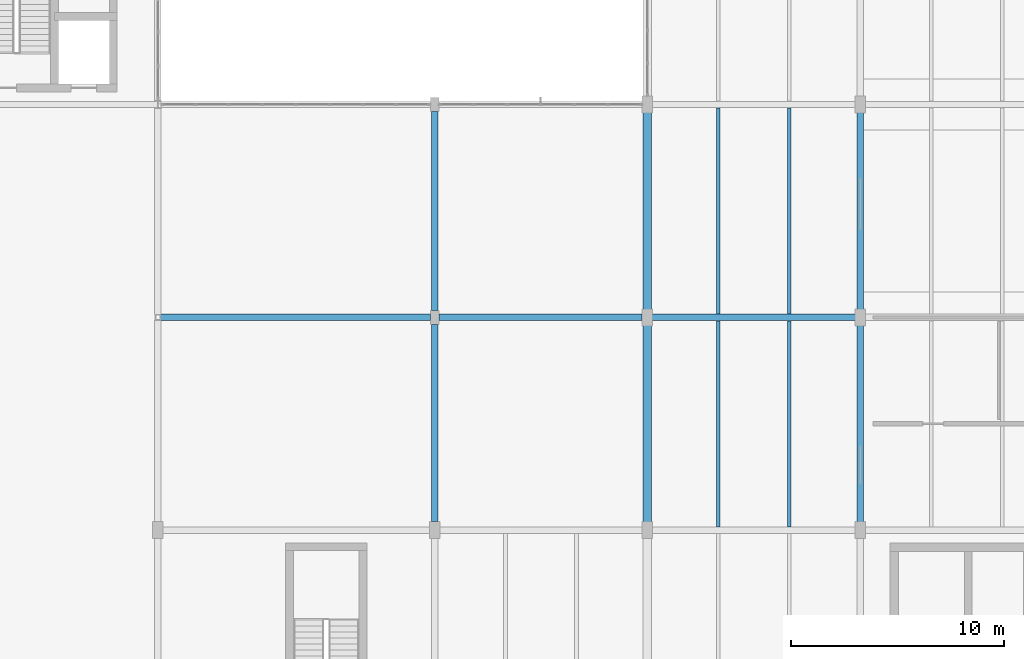
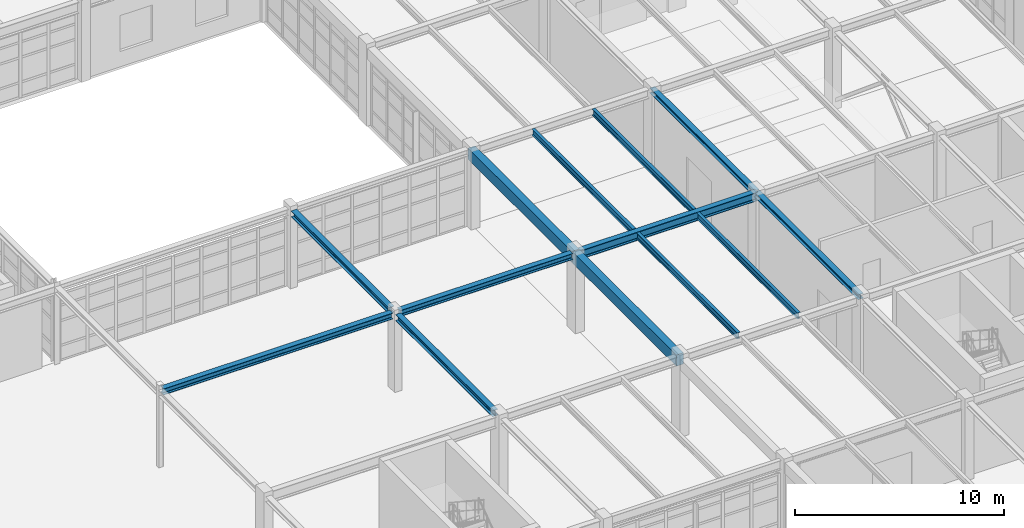
# One storey, part 66 of 139: 13 beams.
"""IFC4 building model written with IfcOpenShell, lengths in metres."""

from ifc_helpers import new_model, si_unit, direction, frame, origin, origin_2d, place, context, subcontext, project, spatial, rectangle, i_section, extrude, material, material_profile, profile_set, type_object, element, save


model = new_model("IFC4")

# Units and contexts
model_context = context("Model", 3, precision=1e-05, world=origin(), true_north=direction((0.0, 1.0)))
body_context = subcontext(model_context, "Body", "Model", "MODEL_VIEW")
ifc_project = project(units=[si_unit("LENGTHUNIT", "METRE"), si_unit("AREAUNIT", "SQUARE_METRE"), si_unit("VOLUMEUNIT", "CUBIC_METRE"), si_unit("PLANEANGLEUNIT", "RADIAN"), si_unit("MASSUNIT", "GRAM", prefix="KILO"), si_unit("THERMODYNAMICTEMPERATUREUNIT", "KELVIN"), si_unit("POWERUNIT", "WATT")], contexts=[model_context])

# Site, building, storey
site_placement = place(None, origin())
site = spatial("IfcSite", under=ifc_project, at=site_placement, CompositionType="ELEMENT")
building_placement = place(site_placement, origin())
building = spatial("IfcBuilding", under=site, at=building_placement, Name="Korenveer Ferry Terminal", CompositionType="ELEMENT")
storey_placement = place(building_placement, frame((0.0, 0.0, 5.39990234375)))
storey = spatial("IfcBuildingStorey", under=building, at=storey_placement, Name="L01", CompositionType="ELEMENT", Elevation=5.39990234375)

# Beams
ifc_material_1 = material(Name="Steel S355", Category="steel")
ifc_material_profile_1 = material_profile(ifc_material_1, i_section(OverallWidth=0.300048828125, OverallDepth=0.2900390625, WebThickness=0.008544921875, FlangeThickness=0.013916015625, FilletRadius=0.027099609375, at=origin_2d()), Name="HEA 300")
ifc_profile_set_1 = profile_set([ifc_material_profile_1], Name="Steel S355")
beam_type_1 = type_object("IfcBeamType", Name="STR-BM-HEA300", PredefinedType="BEAM", material=ifc_profile_set_1)
for number, where, z_axis, x_axis, name in (
    (1, (156.0, 30.02001953125, 4.405029296875), (0.0, 1.0, 0.0), (-1.0, 0.0, 0.0), "Primary Y girder BMY-L02-X156-Y30-40"),
    (2, (156.0, 40.02001953125, 4.405029296875), (0.0, 1.0, 0.0), (-1.0, 0.0, 0.0), "Primary Y girder BMY-L02-X156-Y40-50"),
):
    element("IfcBeam", number, at=place(storey_placement, frame(where, z_axis=z_axis, x_axis=x_axis)), inside=storey, type_object=beam_type_1, Name=name, PredefinedType="BEAM", context=body_context, shape_type="SweptSolid", body=[
        extrude(i_section(OverallWidth=0.300048828125, OverallDepth=0.2900390625, WebThickness=0.008544921875, FlangeThickness=0.013916015625, FilletRadius=0.027099609375, at=origin_2d()), origin(), (0.0, 0.0, 1.0), 9.9599609375),
    ])
ifc_material_profile_2 = material_profile(ifc_material_1, i_section(OverallWidth=0.300048828125, OverallDepth=0.360107421875, WebThickness=0.012451171875, FlangeThickness=0.0224609375, FilletRadius=0.027099609375, at=origin_2d()), Name="HEB 360")
ifc_profile_set_2 = profile_set([ifc_material_profile_2], Name="Steel S355")
beam_type_2 = type_object("IfcBeamType", Name="STR-BM-HEB360", PredefinedType="BEAM", material=ifc_profile_set_2)
beam_1_placement = place(storey_placement, frame((123.125, 40.0, 4.3701171875), z_axis=(1.0, 0.0, 0.0), x_axis=(0.0, 1.0, 0.0)))
element("IfcBeam", 3, at=beam_1_placement, inside=storey, type_object=beam_type_2, Name="Cloister pergola trellis girder BMPERG-X123-136-Y40", PredefinedType="BEAM", context=body_context, shape_type="SweptSolid", body=[
    extrude(i_section(OverallWidth=0.300048828125, OverallDepth=0.360107421875, WebThickness=0.012451171875, FlangeThickness=0.0224609375, FilletRadius=0.027099609375, at=origin_2d()), origin(), (0.0, 0.0, 1.0), 12.675048828125),
])
beam_2_placement = place(storey_placement, frame((136.199951171875, 40.0, 4.3701171875), z_axis=(1.0, 0.0, 0.0), x_axis=(0.0, 1.0, 0.0)))
element("IfcBeam", 4, at=beam_2_placement, inside=storey, type_object=beam_type_2, Name="Cloister pergola trellis girder BMPERG-X136-146-Y40", PredefinedType="BEAM", context=body_context, shape_type="SweptSolid", body=[
    extrude(i_section(OverallWidth=0.300048828125, OverallDepth=0.360107421875, WebThickness=0.012451171875, FlangeThickness=0.0224609375, FilletRadius=0.027099609375, at=origin_2d()), origin(), (0.0, 0.0, 1.0), 9.550048828125),
])
beam_3_placement = place(storey_placement, frame((136.0, 30.39990234375, 4.3701171875), z_axis=(0.0, 1.0, 0.0), x_axis=(-1.0, 0.0, 0.0)))
element("IfcBeam", 5, at=beam_3_placement, inside=storey, type_object=beam_type_2, Name="Cloister pergola trellis girder BMPERG-X136-Y30-40", PredefinedType="BEAM", context=body_context, shape_type="SweptSolid", body=[
    extrude(i_section(OverallWidth=0.300048828125, OverallDepth=0.360107421875, WebThickness=0.012451171875, FlangeThickness=0.0224609375, FilletRadius=0.027099609375, at=origin_2d()), origin(), (0.0, 0.0, 1.0), 9.275146484375),
])
beam_4_placement = place(storey_placement, frame((136.0, 40.324951171875, 4.3701171875), z_axis=(0.0, 1.0, 0.0), x_axis=(-1.0, 0.0, 0.0)))
element("IfcBeam", 6, at=beam_4_placement, inside=storey, type_object=beam_type_2, Name="Cloister pergola trellis girder BMPERG-X136-Y40-50", PredefinedType="BEAM", context=body_context, shape_type="SweptSolid", body=[
    extrude(i_section(OverallWidth=0.300048828125, OverallDepth=0.360107421875, WebThickness=0.012451171875, FlangeThickness=0.0224609375, FilletRadius=0.027099609375, at=origin_2d()), origin(), (0.0, 0.0, 1.0), 9.35009765625),
])
ifc_material_profile_3 = material_profile(ifc_material_1, i_section(OverallWidth=0.300048828125, OverallDepth=0.5, WebThickness=0.014404296875, FlangeThickness=0.028076171875, FilletRadius=0.027099609375, at=origin_2d()), Name="HEB 500")
ifc_profile_set_3 = profile_set([ifc_material_profile_3], Name="Steel S355")
beam_type_3 = type_object("IfcBeamType", Name="STR-BM-HEB500", PredefinedType="BEAM", material=ifc_profile_set_3)
beam_5_placement = place(storey_placement, frame((146.02001953125, 40.0, 4.300048828125), z_axis=(1.0, 0.0, 0.0), x_axis=(0.0, 1.0, 0.0)))
element("IfcBeam", 7, at=beam_5_placement, inside=storey, type_object=beam_type_3, Name="Primary X girder BMX-L02-X146-156-Y40", PredefinedType="BEAM", context=body_context, shape_type="SweptSolid", body=[
    extrude(i_section(OverallWidth=0.300048828125, OverallDepth=0.5, WebThickness=0.014404296875, FlangeThickness=0.028076171875, FilletRadius=0.027099609375, at=origin_2d()), origin(), (0.0, 0.0, 1.0), 9.9599609375),
])
ifc_material_2 = material(Name="Concrete C40/50", Category="concrete")
ifc_material_profile_4 = material_profile(ifc_material_2, rectangle(XDim=0.39990234375, YDim=0.64990234375, at=origin_2d()), Name="RC 400x650")
ifc_profile_set_4 = profile_set([ifc_material_profile_4], Name="Concrete C40/50")
beam_type_4 = type_object("IfcBeamType", Name="STR-BM-RC400X650", PredefinedType="BEAM", material=ifc_profile_set_4)
for number, where, z_axis, x_axis, name in (
    (8, (146.0, 30.02001953125, 4.22509765625), (0.0, 1.0, 0.0), (-1.0, 0.0, 0.0), "Primary Y girder BMY-L02-X146-Y30-40"),
    (9, (146.0, 40.02001953125, 4.22509765625), (0.0, 1.0, 0.0), (-1.0, 0.0, 0.0), "Primary Y girder BMY-L02-X146-Y40-50"),
):
    element("IfcBeam", number, at=place(storey_placement, frame(where, z_axis=z_axis, x_axis=x_axis)), inside=storey, type_object=beam_type_4, Name=name, PredefinedType="BEAM", context=body_context, shape_type="SweptSolid", body=[
        extrude(rectangle(XDim=0.39990234375, YDim=0.64990234375, at=origin_2d()), origin(), (0.0, 0.0, 1.0), 9.9599609375),
    ])
ifc_material_profile_5 = material_profile(ifc_material_1, i_section(OverallWidth=0.169921875, OverallDepth=0.360107421875, WebThickness=0.008056640625, FlangeThickness=0.0126953125, FilletRadius=0.01806640625, at=origin_2d()), Name="IPE 360")
ifc_profile_set_5 = profile_set([ifc_material_profile_5], Name="Steel S355")
beam_type_5 = type_object("IfcBeamType", Name="STR-JST-IPE360", PredefinedType="JOIST", material=ifc_profile_set_5)
for number, where, z_axis, x_axis, name in (
    (10, (149.333251953125, 30.159912109375, 4.3701171875), (0.0, 1.0, 0.0), (-1.0, 0.0, 0.0), "Secondary composite joist JST-L02-X1493-Y30-40"),
    (11, (152.666748046875, 30.159912109375, 4.3701171875), (0.0, 1.0, 0.0), (-1.0, 0.0, 0.0), "Secondary composite joist JST-L02-X1527-Y30-40"),
    (12, (149.333251953125, 40.159912109375, 4.3701171875), (0.0, 1.0, 0.0), (-1.0, 0.0, 0.0), "Secondary composite joist JST-L02-X1493-Y40-50"),
    (13, (152.666748046875, 40.159912109375, 4.3701171875), (0.0, 1.0, 0.0), (-1.0, 0.0, 0.0), "Secondary composite joist JST-L02-X1527-Y40-50"),
):
    element("IfcBeam", number, at=place(storey_placement, frame(where, z_axis=z_axis, x_axis=x_axis)), inside=storey, type_object=beam_type_5, Name=name, PredefinedType="JOIST", context=body_context, shape_type="SweptSolid", body=[
        extrude(i_section(OverallWidth=0.169921875, OverallDepth=0.360107421875, WebThickness=0.008056640625, FlangeThickness=0.0126953125, FilletRadius=0.01806640625, at=origin_2d()), origin(), (0.0, 0.0, 1.0), 9.68017578125),
    ])

save(model, "model.ifc")
